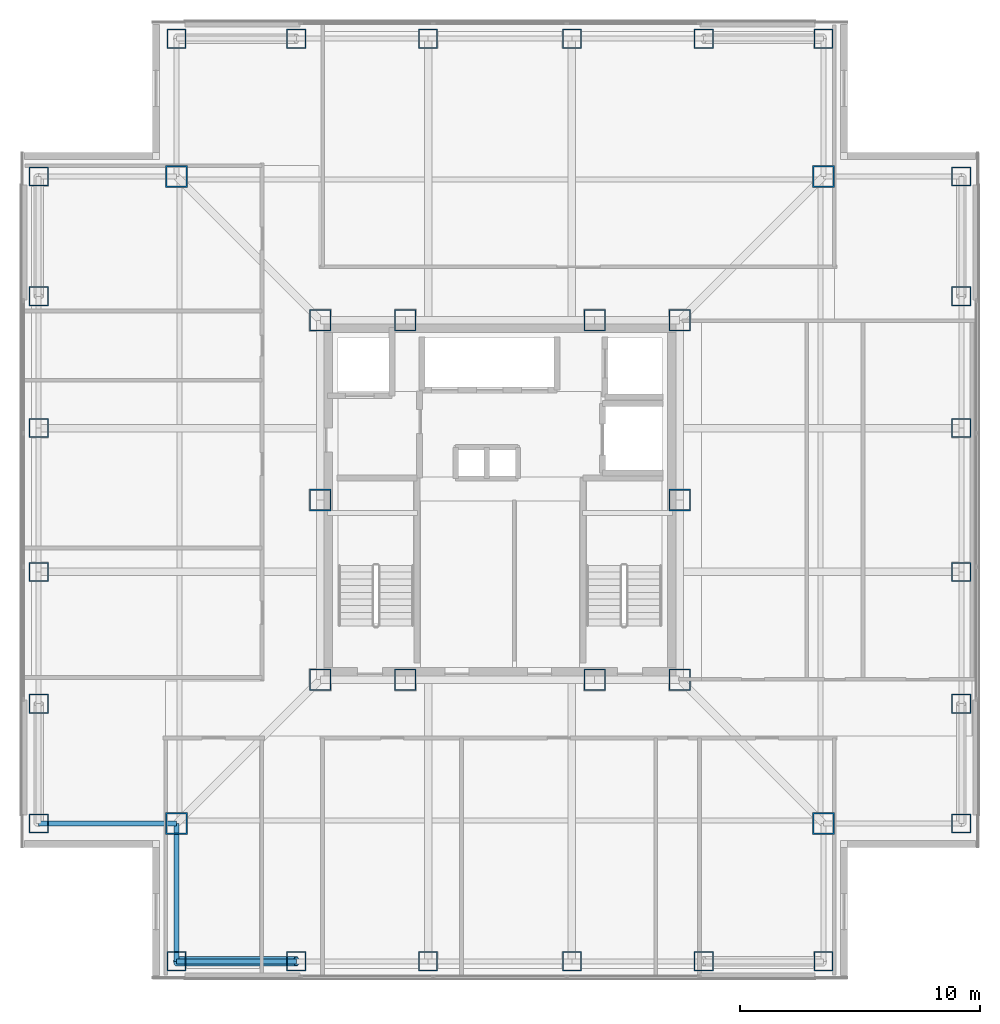
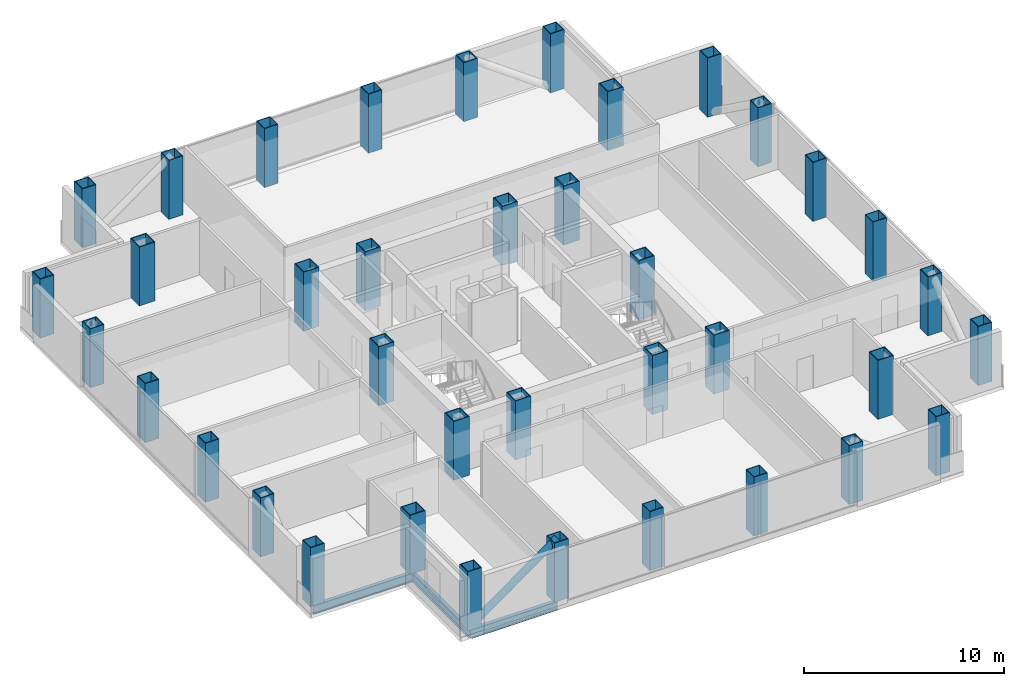
# One storey, part 1 of 17: 38 columns, 3 beams, 1 member.
"""IFC4 building model written with IfcOpenShell, lengths in metres."""

import ifcopenshell
import ifcopenshell.guid

model = None  # the IFC model being written
_history = None  # IfcOwnerHistory: only IFC2X3 demands one
_inside = {}  # id of a spatial element -> (the spatial element, [elements in it])
_under = {}  # id of a project, library or spatial element -> (it, [spatial elements below it])
_declared = {}  # id of a project -> (the project, [libraries it declares])
_typed = {}  # id of a type object -> (the type object, [elements of that type])
_made_of = {}  # id of a material, layer set ... -> (it, [elements and type objects made of it])


def new_model(schema):
    """Start an empty IFC model of exactly this schema.

    Asked for "IFC4X3", IfcOpenShell would pick the latest addendum, in which some entities
    have other attributes; the version numbers below select the first issue.
    IFC2X3 requires an IfcOwnerHistory on every rooted entity: one is made here for all.
    """
    global model, _history
    if schema == "IFC4X3":
        model = ifcopenshell.file(schema_version=(4, 3, 0, 0))
    else:
        model = ifcopenshell.file(schema=schema)
    _inside.clear()
    _under.clear()
    _declared.clear()
    _typed.clear()
    _made_of.clear()
    _history = None
    if model.schema == "IFC2X3":
        org = make("IfcOrganization", Name="unknown")
        user = make(
            "IfcPersonAndOrganization",
            ThePerson=make("IfcPerson", FamilyName="unknown"),
            TheOrganization=org,
        )
        app = make(
            "IfcApplication",
            ApplicationDeveloper=org,
            Version="unknown",
            ApplicationFullName="unknown",
            ApplicationIdentifier="unknown",
        )
        _history = make(
            "IfcOwnerHistory",
            OwningUser=user,
            OwningApplication=app,
            ChangeAction="ADDED",
            CreationDate=0,
        )
    return model


def make(cls, **values):
    """One entity of the class cls with the attributes given. An attribute that is None is left unset."""
    return model.create_entity(
        cls, **{name: value for name, value in values.items() if value is not None}
    )


def rooted(cls, **values):
    """An entity with a GlobalId (a new one), such as an element, a storey or a relation."""
    return make(cls, GlobalId=ifcopenshell.guid.new(), OwnerHistory=_history, **values)


def si_unit(unit_type, name, prefix=None):
    """IfcSIUnit, for example si_unit("LENGTHUNIT", "METRE", prefix="MILLI")."""
    return make("IfcSIUnit", UnitType=unit_type, Prefix=prefix, Name=name)


def assignment(units):
    """IfcUnitAssignment: the units of a project."""
    return None if units is None else make("IfcUnitAssignment", Units=units)


def point(xyz):
    """IfcCartesianPoint."""
    return None if xyz is None else make("IfcCartesianPoint", Coordinates=xyz)


def direction(xyz):
    """IfcDirection."""
    return None if xyz is None else make("IfcDirection", DirectionRatios=xyz)


def frame(location, z_axis=None, x_axis=None):
    """IfcAxis2Placement3D, a coordinate frame: its origin and axes. An axis left out is left unset."""
    return make(
        "IfcAxis2Placement3D",
        Location=point(location),
        Axis=direction(z_axis),
        RefDirection=direction(x_axis),
    )


def frame_2d(location, x_axis=None):
    """IfcAxis2Placement2D, a coordinate frame in the plane: its origin and x axis."""
    return make(
        "IfcAxis2Placement2D", Location=point(location), RefDirection=direction(x_axis)
    )


def origin():
    """The frame at (0, 0, 0) with its axes left unset."""
    return frame((0.0, 0.0, 0.0))


def origin_2d():
    """The frame at (0, 0) in the plane with its x axis left unset."""
    return frame_2d((0.0, 0.0))


def place(relative_to, where):
    """IfcLocalPlacement: puts the frame where relative to a parent placement (None: the world)."""
    return make(
        "IfcLocalPlacement", PlacementRelTo=relative_to, RelativePlacement=where
    )


def context(
    kind, dimensions, precision=None, world=None, true_north=None, identifier=None
):
    """IfcGeometricRepresentationContext, for example the 3D "Model" context."""
    return make(
        "IfcGeometricRepresentationContext",
        ContextIdentifier=identifier,
        ContextType=kind,
        CoordinateSpaceDimension=dimensions,
        Precision=precision,
        WorldCoordinateSystem=world,
        TrueNorth=true_north,
    )


def subcontext(parent, identifier, kind, view, scale=None):
    """IfcGeometricRepresentationSubContext, for example "Body" below "Model"."""
    return make(
        "IfcGeometricRepresentationSubContext",
        ContextIdentifier=identifier,
        ContextType=kind,
        ParentContext=parent,
        TargetScale=scale,
        TargetView=view,
    )


def project(units=None, contexts=None):
    """IfcProject with its units and contexts."""
    return rooted(
        "IfcProject",
        Name="project",
        RepresentationContexts=contexts,
        UnitsInContext=assignment(units),
    )


def spatial(cls, under=None, at=None, **own):
    """A site, building, storey or space (cls), placed at a placement, below another one or the project."""
    s = rooted(cls, ObjectPlacement=at, **own)
    if under is not None:
        _under.setdefault(under.id(), (under, []))[1].append(s)
    return s


def profile(cls, at=None, kind="AREA", **sizes):
    """A parametric profile (cls). Its sizes go by their IFC names, for example OverallWidth=200.0."""
    return make(cls, ProfileType=kind, Position=at, **sizes)


def hollow_rectangle(**sizes):
    """IfcRectangleHollowProfileDef."""
    return profile("IfcRectangleHollowProfileDef", **sizes)


def hollow_circle(**sizes):
    """IfcCircleHollowProfileDef."""
    return profile("IfcCircleHollowProfileDef", **sizes)


def i_section(**sizes):
    """IfcIShapeProfileDef."""
    return profile("IfcIShapeProfileDef", **sizes)


def extrude(swept, where, along, depth):
    """IfcExtrudedAreaSolid: the profile swept, set in the frame where, extruded along a direction by depth."""
    return make(
        "IfcExtrudedAreaSolid",
        SweptArea=swept,
        Position=where,
        ExtrudedDirection=direction(along),
        Depth=depth,
    )


def shape(context_of_items, identifier, shape_type, items):
    """IfcShapeRepresentation: the items that make up one representation, for example the "Body"."""
    return make(
        "IfcShapeRepresentation",
        ContextOfItems=context_of_items,
        RepresentationIdentifier=identifier,
        RepresentationType=shape_type,
        Items=items,
    )


def material(Name=None, Category=None):
    """IfcMaterial."""
    return make("IfcMaterial", Name=Name, Category=Category)


def material_profile(
    of_material, cross_section, Name=None, Category=None, Priority=None
):
    """IfcMaterialProfile: a cross section and its material."""
    return make(
        "IfcMaterialProfile",
        Name=Name,
        Material=of_material,
        Profile=cross_section,
        Priority=Priority,
        Category=Category,
    )


def profile_set(profiles, Name=None, composite=None):
    """IfcMaterialProfileSet."""
    return make(
        "IfcMaterialProfileSet",
        Name=Name,
        MaterialProfiles=profiles,
        CompositeProfile=composite,
    )


def made_of(thing, what):
    """Note that an element or type object is made of a material, layer set ...; save() writes the relation."""
    if what is not None:
        _made_of.setdefault(what.id(), (what, []))[1].append(thing)
    return thing


def type_object(cls, material=None, **own):
    """A type object (cls), such as IfcWallType, which elements share."""
    return made_of(rooted(cls, **own), material)


def element(
    cls,
    number,
    at=None,
    inside=None,
    cuts=None,
    type_object=None,
    material=None,
    context=None,
    identifier="Body",
    shape_type=None,
    held_by="IfcProductDefinitionShape",
    body=None,
    shapes=None,
    **own,
):
    """One element of the class cls, such as IfcWall. Its Tag is "e" and its number.

    at: its placement. inside: the storey or other place that contains it. cuts: it is an
    opening in that element (IfcRelVoidsElement). A single representation is given by context,
    identifier, shape_type and body (its items); several are given by shapes. held_by: the class
    of the entity that holds the representations. save() writes the other relations.
    """
    e = rooted(cls, Tag="e%d" % number, ObjectPlacement=at, **own)
    if body is not None:
        shapes = [shape(context, identifier, shape_type, body)]
    if shapes is not None:
        e.Representation = make(held_by, Representations=shapes)
    if inside is not None:
        _inside.setdefault(inside.id(), (inside, []))[1].append(e)
    if cuts is not None:
        rooted(
            "IfcRelVoidsElement", RelatingBuildingElement=cuts, RelatedOpeningElement=e
        )
    if type_object is not None:
        _typed.setdefault(type_object.id(), (type_object, []))[1].append(e)
    return made_of(e, material)


def aggregate(whole, parts):
    """IfcRelAggregates: a whole, such as a stair, and the parts it consists of."""
    return rooted("IfcRelAggregates", RelatingObject=whole, RelatedObjects=parts)


def save(model, path):
    """Write the relations noted so far, then the file.

    IfcRelAggregates (storeys below a building ...), IfcRelContainedInSpatialStructure (elements
    in a storey), IfcRelDefinesByType, IfcRelAssociatesMaterial and IfcRelDeclares: one each for
    every whole, place, type object, material and project.
    """
    for whole, parts in _under.values():
        aggregate(whole, parts)
    for where, things in _inside.values():
        rooted(
            "IfcRelContainedInSpatialStructure",
            RelatedElements=things,
            RelatingStructure=where,
        )
    for kind, things in _typed.values():
        rooted("IfcRelDefinesByType", RelatedObjects=things, RelatingType=kind)
    for what, things in _made_of.values():
        rooted("IfcRelAssociatesMaterial", RelatedObjects=things, RelatingMaterial=what)
    for by, libraries in _declared.values():
        rooted("IfcRelDeclares", RelatingContext=by, RelatedDefinitions=libraries)
    model.write(path)


model = new_model("IFC4")

# Units and contexts
model_context = context("Model", 3, precision=1e-05, world=origin(), true_north=direction((0.0, 1.0)))
body_context = subcontext(model_context, "Body", "Model", "MODEL_VIEW")
ifc_project = project(units=[si_unit("LENGTHUNIT", "METRE"), si_unit("AREAUNIT", "SQUARE_METRE"), si_unit("VOLUMEUNIT", "CUBIC_METRE"), si_unit("PLANEANGLEUNIT", "RADIAN"), si_unit("MASSUNIT", "GRAM", prefix="KILO")], contexts=[model_context])

# Site, building, storey
site_placement = place(None, origin())
site = spatial("IfcSite", under=ifc_project, at=site_placement, CompositionType="ELEMENT")
building_placement = place(site_placement, origin())
building = spatial("IfcBuilding", under=site, at=building_placement, Name="Trevonay Congress Spire", CompositionType="ELEMENT")
storey_placement = place(building_placement, frame((0.0, 0.0, 213.0)))
storey = spatial("IfcBuildingStorey", under=building, at=storey_placement, Name="L55", CompositionType="ELEMENT", Elevation=213.0)

# Columns
ifc_material_1 = material(Name="Steel ASTM A572 Grade 50", Category="steel")
ifc_material_profile_1 = material_profile(ifc_material_1, hollow_rectangle(XDim=0.89990234375, YDim=0.89990234375, WallThickness=0.044921875, at=origin_2d()), Name="BOX 900x900x45")
ifc_profile_set_1 = profile_set([ifc_material_profile_1], Name="Steel ASTM A572 Grade 50")
column_type_1 = type_object("IfcColumnType", Name="COL-CORE-BOX900", PredefinedType="COLUMN", material=ifc_profile_set_1)
for number, where, z_axis, x_axis, name in (
    (1, (-7.5, -7.5, 0.0), (0.0, 0.0, 1.0), (1.0, 0.0, 0.0), "L55 column C04 at CC-SW"),
    (2, (-3.949951171875, -7.5, 0.0), (0.0, 0.0, 1.0), (1.0, 0.0, 0.0), "L55 column C04 at CC-SMW"),
    (3, (3.949951171875, -7.5, 0.0), (0.0, 0.0, 1.0), (1.0, 0.0, 0.0), "L55 column C04 at CC-SME"),
    (4, (7.5, -7.5, 0.0), (0.0, 0.0, 1.0), (1.0, 0.0, 0.0), "L55 column C04 at CC-SE"),
    (5, (7.5, 0.0, 0.0), (0.0, 0.0, 1.0), (1.0, 0.0, 0.0), "L55 column C04 at CC-E"),
    (6, (7.5, 7.5, 0.0), (0.0, 0.0, 1.0), (1.0, 0.0, 0.0), "L55 column C04 at CC-NE"),
    (7, (3.949951171875, 7.5, 0.0), (0.0, 0.0, 1.0), (1.0, 0.0, 0.0), "L55 column C04 at CC-NME"),
    (8, (-3.949951171875, 7.5, 0.0), (0.0, 0.0, 1.0), (1.0, 0.0, 0.0), "L55 column C04 at CC-NMW"),
    (9, (-7.5, 7.5, 0.0), (0.0, 0.0, 1.0), (1.0, 0.0, 0.0), "L55 column C04 at CC-NW"),
    (10, (-7.5, 0.0, 0.0), (0.0, 0.0, 1.0), (1.0, 0.0, 0.0), "L55 column C04 at CC-W"),
):
    element("IfcColumn", number, at=place(storey_placement, frame(where, z_axis=z_axis, x_axis=x_axis)), inside=storey, type_object=column_type_1, Name=name, PredefinedType="COLUMN", context=body_context, shape_type="SweptSolid", body=[
        extrude(hollow_rectangle(XDim=0.89990234375, YDim=0.89990234375, WallThickness=0.044921875, at=origin_2d()), origin(), (0.0, 0.0, 1.0), 3.60009765625),
    ])
ifc_material_profile_2 = material_profile(ifc_material_1, hollow_rectangle(XDim=0.800048828125, YDim=0.800048828125, WallThickness=0.0400390625, at=origin_2d()), Name="BOX 800x800x40")
ifc_profile_set_2 = profile_set([ifc_material_profile_2], Name="Steel ASTM A572 Grade 50")
column_type_2 = type_object("IfcColumnType", Name="COL-TUBE-BOX800", PredefinedType="COLUMN", material=ifc_profile_set_2)
for number, where, z_axis, x_axis, name in (
    (11, (-13.5, -19.25, 0.0), (0.0, 0.0, 1.0), (1.0, 0.0, 0.0), "L55 column C16 at TS-1"),
    (12, (-13.5, 19.25, 0.0), (0.0, 0.0, 1.0), (1.0, 0.0, 0.0), "L55 column C16 at TN-1"),
    (13, (-19.25, -13.5, 0.0), (0.0, 0.0, 1.0), (1.0, 0.0, 0.0), "L55 column C16 at TW-1"),
    (14, (19.25, -13.5, 0.0), (0.0, 0.0, 1.0), (1.0, 0.0, 0.0), "L55 column C16 at TE-1"),
    (15, (-8.5, -19.25, 0.0), (0.0, 0.0, 1.0), (1.0, 0.0, 0.0), "L55 column C16 at TS-2"),
    (16, (-8.5, 19.25, 0.0), (0.0, 0.0, 1.0), (1.0, 0.0, 0.0), "L55 column C16 at TN-2"),
    (17, (-19.25, -8.5, 0.0), (0.0, 0.0, 1.0), (1.0, 0.0, 0.0), "L55 column C16 at TW-2"),
    (18, (19.25, -8.5, 0.0), (0.0, 0.0, 1.0), (1.0, 0.0, 0.0), "L55 column C16 at TE-2"),
    (19, (-3.0, -19.25, 0.0), (0.0, 0.0, 1.0), (1.0, 0.0, 0.0), "L55 column C16 at TS-3"),
    (20, (-3.0, 19.25, 0.0), (0.0, 0.0, 1.0), (1.0, 0.0, 0.0), "L55 column C16 at TN-3"),
    (21, (-19.25, -3.0, 0.0), (0.0, 0.0, 1.0), (1.0, 0.0, 0.0), "L55 column C16 at TW-3"),
    (22, (19.25, -3.0, 0.0), (0.0, 0.0, 1.0), (1.0, 0.0, 0.0), "L55 column C16 at TE-3"),
    (23, (3.0, -19.25, 0.0), (0.0, 0.0, 1.0), (1.0, 0.0, 0.0), "L55 column C16 at TS-4"),
    (24, (3.0, 19.25, 0.0), (0.0, 0.0, 1.0), (1.0, 0.0, 0.0), "L55 column C16 at TN-4"),
    (25, (-19.25, 3.0, 0.0), (0.0, 0.0, 1.0), (1.0, 0.0, 0.0), "L55 column C16 at TW-4"),
    (26, (19.25, 3.0, 0.0), (0.0, 0.0, 1.0), (1.0, 0.0, 0.0), "L55 column C16 at TE-4"),
    (27, (8.5, -19.25, 0.0), (0.0, 0.0, 1.0), (1.0, 0.0, 0.0), "L55 column C16 at TS-5"),
    (28, (8.5, 19.25, 0.0), (0.0, 0.0, 1.0), (1.0, 0.0, 0.0), "L55 column C16 at TN-5"),
    (29, (-19.25, 8.5, 0.0), (0.0, 0.0, 1.0), (1.0, 0.0, 0.0), "L55 column C16 at TW-5"),
    (30, (19.25, 8.5, 0.0), (0.0, 0.0, 1.0), (1.0, 0.0, 0.0), "L55 column C16 at TE-5"),
    (31, (13.5, -19.25, 0.0), (0.0, 0.0, 1.0), (1.0, 0.0, 0.0), "L55 column C16 at TS-6"),
    (32, (13.5, 19.25, 0.0), (0.0, 0.0, 1.0), (1.0, 0.0, 0.0), "L55 column C16 at TN-6"),
    (33, (-19.25, 13.5, 0.0), (0.0, 0.0, 1.0), (1.0, 0.0, 0.0), "L55 column C16 at TW-6"),
    (34, (19.25, 13.5, 0.0), (0.0, 0.0, 1.0), (1.0, 0.0, 0.0), "L55 column C16 at TE-6"),
):
    element("IfcColumn", number, at=place(storey_placement, frame(where, z_axis=z_axis, x_axis=x_axis)), inside=storey, type_object=column_type_2, Name=name, PredefinedType="COLUMN", context=body_context, shape_type="SweptSolid", body=[
        extrude(hollow_rectangle(XDim=0.800048828125, YDim=0.800048828125, WallThickness=0.0400390625, at=origin_2d()), origin(), (0.0, 0.0, 1.0), 3.60009765625),
    ])
ifc_material_profile_3 = material_profile(ifc_material_1, hollow_rectangle(XDim=0.89990234375, YDim=0.89990234375, WallThickness=0.044921875, at=origin_2d()), Name="BOX 900x900x45")
ifc_profile_set_3 = profile_set([ifc_material_profile_3], Name="Steel ASTM A572 Grade 50")
column_type_3 = type_object("IfcColumnType", Name="COL-TUBE-BOX900", PredefinedType="COLUMN", material=ifc_profile_set_3)
for number, where, z_axis, x_axis, name in (
    (35, (-13.5, -13.5, 0.0), (0.0, 0.0, 1.0), (1.0, 0.0, 0.0), "L55 column C15 at NC-SW"),
    (36, (13.5, -13.5, 0.0), (0.0, 0.0, 1.0), (1.0, 0.0, 0.0), "L55 column C15 at NC-SE"),
    (37, (13.5, 13.5, 0.0), (0.0, 0.0, 1.0), (1.0, 0.0, 0.0), "L55 column C15 at NC-NE"),
    (38, (-13.5, 13.5, 0.0), (0.0, 0.0, 1.0), (1.0, 0.0, 0.0), "L55 column C15 at NC-NW"),
):
    element("IfcColumn", number, at=place(storey_placement, frame(where, z_axis=z_axis, x_axis=x_axis)), inside=storey, type_object=column_type_3, Name=name, PredefinedType="COLUMN", context=body_context, shape_type="SweptSolid", body=[
        extrude(hollow_rectangle(XDim=0.89990234375, YDim=0.89990234375, WallThickness=0.044921875, at=origin_2d()), origin(), (0.0, 0.0, 1.0), 3.60009765625),
    ])

# Beams
ifc_material_profile_4 = material_profile(ifc_material_1, i_section(OverallWidth=0.2119140625, OverallDepth=0.5439453125, WebThickness=0.01318359375, FlangeThickness=0.021240234375, FilletRadius=0.014892578125, at=origin_2d()), Name="W530x123")
ifc_profile_set_4 = profile_set([ifc_material_profile_4], Name="Steel ASTM A572 Grade 50")
beam_type = type_object("IfcBeamType", Name="BM-RING-W530X123", PredefinedType="BEAM", material=ifc_profile_set_4)
beam_placement = place(storey_placement, frame((-13.5, -19.25, -0.511962890625), z_axis=(1.0, 0.0, 0.0), x_axis=(0.0, 1.0, 0.0)))
element("IfcBeam", 39, at=beam_placement, inside=storey, type_object=beam_type, Name="L55 structural beam BM-L55-PS1", PredefinedType="BEAM", context=body_context, shape_type="SweptSolid", body=[
    extrude(i_section(OverallWidth=0.2119140625, OverallDepth=0.5439453125, WebThickness=0.01318359375, FlangeThickness=0.021240234375, FilletRadius=0.014892578125, at=origin_2d()), origin(), (0.0, 0.0, 1.0), 5.0),
])
for number, where, z_axis, x_axis, name in (
    (40, (-13.5, -19.25, -0.511962890625), (0.0, 1.0, 0.0), (-1.0, 0.0, 0.0), "L55 structural beam BM-L55-N1SW"),
    (41, (-19.25, -13.5, -0.511962890625), (1.0, 0.0, 0.0), (0.0, 1.0, 0.0), "L55 structural beam BM-L55-N2SW"),
):
    element("IfcBeam", number, at=place(storey_placement, frame(where, z_axis=z_axis, x_axis=x_axis)), inside=storey, type_object=beam_type, Name=name, PredefinedType="BEAM", context=body_context, shape_type="SweptSolid", body=[
        extrude(i_section(OverallWidth=0.2119140625, OverallDepth=0.5439453125, WebThickness=0.01318359375, FlangeThickness=0.021240234375, FilletRadius=0.014892578125, at=origin_2d()), origin(), (0.0, 0.0, 1.0), 5.75),
    ])

# Member
ifc_material_2 = material(Name="Steel ASTM A500 Grade C", Category="steel")
ifc_material_profile_5 = material_profile(ifc_material_2, hollow_circle(Radius=0.203125, WallThickness=0.02001953125, at=origin_2d()), Name="CHS 406.4x20")
ifc_profile_set_5 = profile_set([ifc_material_profile_5], Name="Steel ASTM A500 Grade C")
member_type = type_object("IfcMemberType", Name="MBR-TUBE-CHS406", PredefinedType="BRACE", material=ifc_profile_set_5)
member_placement = place(storey_placement, frame((-13.5, -19.25, -0.050048828125), z_axis=(0.811526825515, 0.0, 0.584315164504), x_axis=(0.0, 1.0, 0.0)))
element("IfcMember", 42, at=member_placement, inside=storey, type_object=member_type, Name="L55 perimeter braced-tube diagonal S0", PredefinedType="BRACE", context=body_context, shape_type="SweptSolid", body=[
    extrude(hollow_circle(Radius=0.203125, WallThickness=0.02001953125, at=origin_2d()), origin(), (0.0, 0.0, 1.0), 6.1611328125),
])

save(model, "model.ifc")
